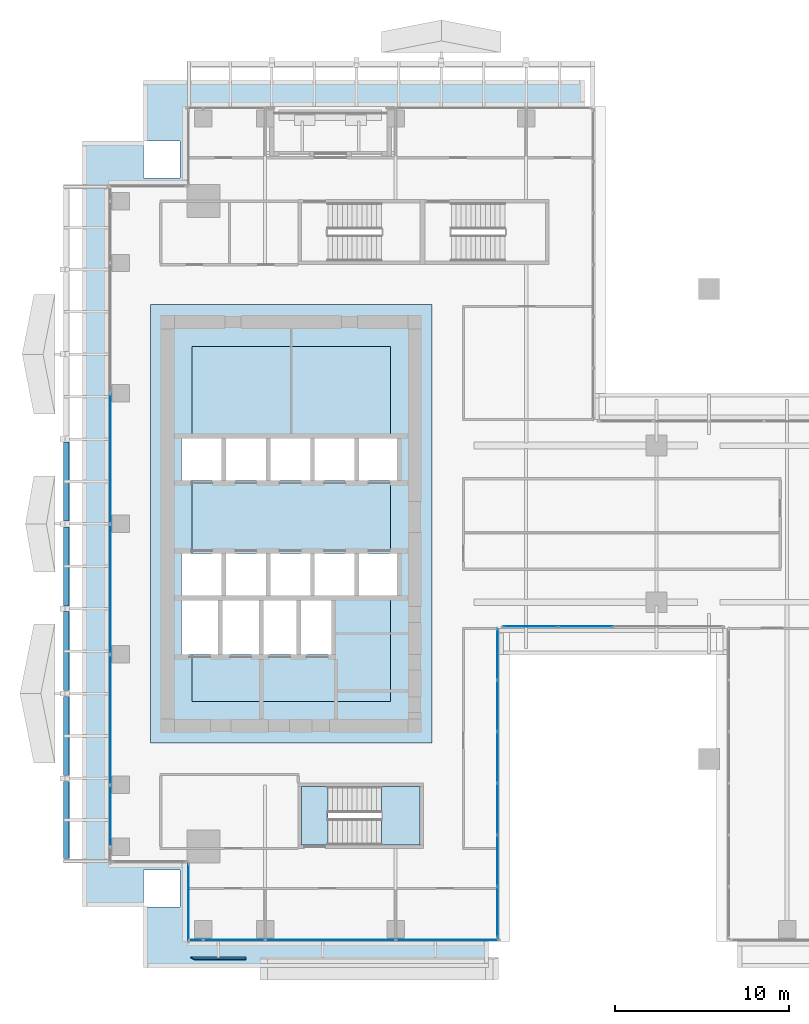
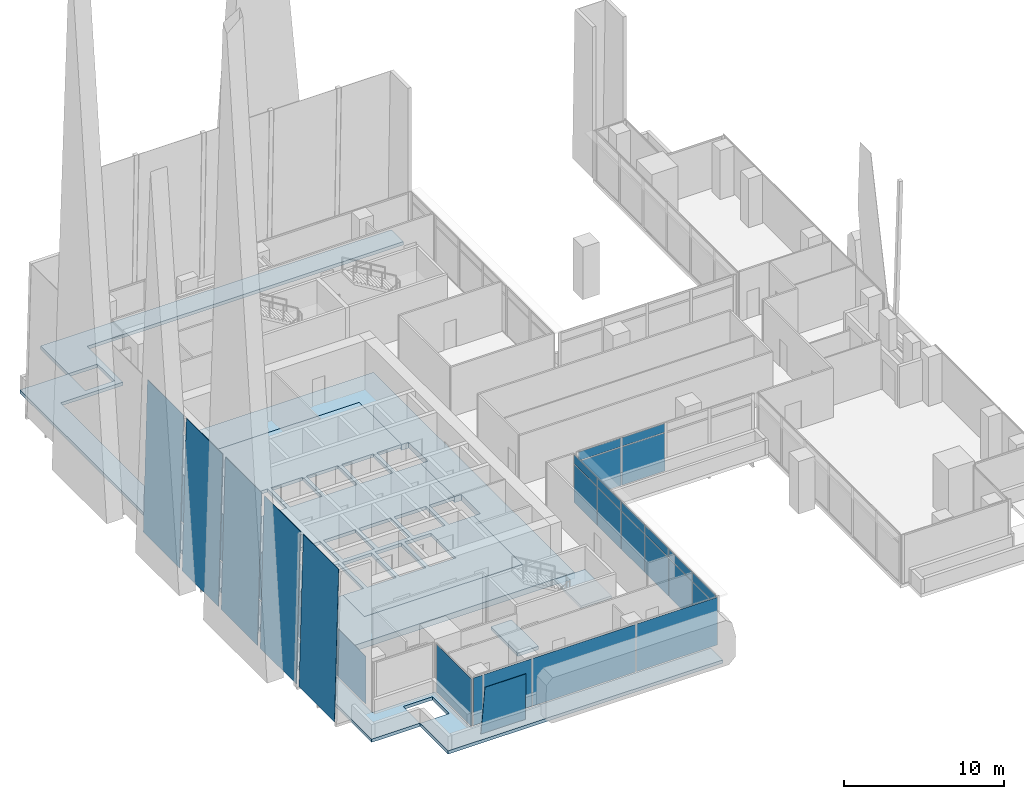
# One storey, part 28 of 43: 31 plates, 5 slabs, 6 elements without a shape of their own.
"""IFC4 building model written with IfcOpenShell, lengths in metres."""

import ifcopenshell
import ifcopenshell.guid

model = None  # the IFC model being written
_history = None  # IfcOwnerHistory: only IFC2X3 demands one
_inside = {}  # id of a spatial element -> (the spatial element, [elements in it])
_under = {}  # id of a project, library or spatial element -> (it, [spatial elements below it])
_declared = {}  # id of a project -> (the project, [libraries it declares])
_typed = {}  # id of a type object -> (the type object, [elements of that type])
_made_of = {}  # id of a material, layer set ... -> (it, [elements and type objects made of it])


def new_model(schema):
    """Start an empty IFC model of exactly this schema.

    Asked for "IFC4X3", IfcOpenShell would pick the latest addendum, in which some entities
    have other attributes; the version numbers below select the first issue.
    IFC2X3 requires an IfcOwnerHistory on every rooted entity: one is made here for all.
    """
    global model, _history
    if schema == "IFC4X3":
        model = ifcopenshell.file(schema_version=(4, 3, 0, 0))
    else:
        model = ifcopenshell.file(schema=schema)
    _inside.clear()
    _under.clear()
    _declared.clear()
    _typed.clear()
    _made_of.clear()
    _history = None
    if model.schema == "IFC2X3":
        org = make("IfcOrganization", Name="unknown")
        user = make(
            "IfcPersonAndOrganization",
            ThePerson=make("IfcPerson", FamilyName="unknown"),
            TheOrganization=org,
        )
        app = make(
            "IfcApplication",
            ApplicationDeveloper=org,
            Version="unknown",
            ApplicationFullName="unknown",
            ApplicationIdentifier="unknown",
        )
        _history = make(
            "IfcOwnerHistory",
            OwningUser=user,
            OwningApplication=app,
            ChangeAction="ADDED",
            CreationDate=0,
        )
    return model


def make(cls, **values):
    """One entity of the class cls with the attributes given. An attribute that is None is left unset."""
    return model.create_entity(
        cls, **{name: value for name, value in values.items() if value is not None}
    )


def rooted(cls, **values):
    """An entity with a GlobalId (a new one), such as an element, a storey or a relation."""
    return make(cls, GlobalId=ifcopenshell.guid.new(), OwnerHistory=_history, **values)


def si_unit(unit_type, name, prefix=None):
    """IfcSIUnit, for example si_unit("LENGTHUNIT", "METRE", prefix="MILLI")."""
    return make("IfcSIUnit", UnitType=unit_type, Prefix=prefix, Name=name)


def assignment(units):
    """IfcUnitAssignment: the units of a project."""
    return None if units is None else make("IfcUnitAssignment", Units=units)


def point(xyz):
    """IfcCartesianPoint."""
    return None if xyz is None else make("IfcCartesianPoint", Coordinates=xyz)


def direction(xyz):
    """IfcDirection."""
    return None if xyz is None else make("IfcDirection", DirectionRatios=xyz)


def frame(location, z_axis=None, x_axis=None):
    """IfcAxis2Placement3D, a coordinate frame: its origin and axes. An axis left out is left unset."""
    return make(
        "IfcAxis2Placement3D",
        Location=point(location),
        Axis=direction(z_axis),
        RefDirection=direction(x_axis),
    )


def frame_2d(location, x_axis=None):
    """IfcAxis2Placement2D, a coordinate frame in the plane: its origin and x axis."""
    return make(
        "IfcAxis2Placement2D", Location=point(location), RefDirection=direction(x_axis)
    )


def origin():
    """The frame at (0, 0, 0) with its axes left unset."""
    return frame((0.0, 0.0, 0.0))


def origin_2d():
    """The frame at (0, 0) in the plane with its x axis left unset."""
    return frame_2d((0.0, 0.0))


def place(relative_to, where):
    """IfcLocalPlacement: puts the frame where relative to a parent placement (None: the world)."""
    return make(
        "IfcLocalPlacement", PlacementRelTo=relative_to, RelativePlacement=where
    )


def context(
    kind, dimensions, precision=None, world=None, true_north=None, identifier=None
):
    """IfcGeometricRepresentationContext, for example the 3D "Model" context."""
    return make(
        "IfcGeometricRepresentationContext",
        ContextIdentifier=identifier,
        ContextType=kind,
        CoordinateSpaceDimension=dimensions,
        Precision=precision,
        WorldCoordinateSystem=world,
        TrueNorth=true_north,
    )


def subcontext(parent, identifier, kind, view, scale=None):
    """IfcGeometricRepresentationSubContext, for example "Body" below "Model"."""
    return make(
        "IfcGeometricRepresentationSubContext",
        ContextIdentifier=identifier,
        ContextType=kind,
        ParentContext=parent,
        TargetScale=scale,
        TargetView=view,
    )


def project(units=None, contexts=None):
    """IfcProject with its units and contexts."""
    return rooted(
        "IfcProject",
        Name="project",
        RepresentationContexts=contexts,
        UnitsInContext=assignment(units),
    )


def spatial(cls, under=None, at=None, **own):
    """A site, building, storey or space (cls), placed at a placement, below another one or the project."""
    s = rooted(cls, ObjectPlacement=at, **own)
    if under is not None:
        _under.setdefault(under.id(), (under, []))[1].append(s)
    return s


def polyline(points):
    """IfcPolyline through the points."""
    return make("IfcPolyline", Points=[point(p) for p in points])


def profile(cls, at=None, kind="AREA", **sizes):
    """A parametric profile (cls). Its sizes go by their IFC names, for example OverallWidth=200.0."""
    return make(cls, ProfileType=kind, Position=at, **sizes)


def rectangle(**sizes):
    """IfcRectangleProfileDef."""
    return profile("IfcRectangleProfileDef", **sizes)


def outline(outer, holes=None, kind="AREA"):
    """IfcArbitraryClosedProfileDef: a profile drawn as a closed curve; with holes, ...WithVoids."""
    if holes is None:
        return make("IfcArbitraryClosedProfileDef", ProfileType=kind, OuterCurve=outer)
    return make(
        "IfcArbitraryProfileDefWithVoids",
        ProfileType=kind,
        OuterCurve=outer,
        InnerCurves=holes,
    )


def extrude(swept, where, along, depth):
    """IfcExtrudedAreaSolid: the profile swept, set in the frame where, extruded along a direction by depth."""
    return make(
        "IfcExtrudedAreaSolid",
        SweptArea=swept,
        Position=where,
        ExtrudedDirection=direction(along),
        Depth=depth,
    )


def shape(context_of_items, identifier, shape_type, items):
    """IfcShapeRepresentation: the items that make up one representation, for example the "Body"."""
    return make(
        "IfcShapeRepresentation",
        ContextOfItems=context_of_items,
        RepresentationIdentifier=identifier,
        RepresentationType=shape_type,
        Items=items,
    )


def source(mapping_origin, context_of_items, identifier, shape_type, items):
    """IfcRepresentationMap: a shape defined once, which mapped items show again and again."""
    return make(
        "IfcRepresentationMap",
        MappingOrigin=mapping_origin,
        MappedRepresentation=shape(context_of_items, identifier, shape_type, items),
    )


def transform(
    local_origin,
    x_axis=None,
    y_axis=None,
    z_axis=None,
    scale=None,
    scale2=None,
    scale3=None,
    uniform=True,
):
    """IfcCartesianTransformationOperator3D, or its non-uniform kind. x_axis, y_axis, z_axis: its Axis1, 2, 3."""
    if uniform:
        return make(
            "IfcCartesianTransformationOperator3D",
            Axis1=direction(x_axis),
            Axis2=direction(y_axis),
            LocalOrigin=point(local_origin),
            Scale=scale,
            Axis3=direction(z_axis),
        )
    return make(
        "IfcCartesianTransformationOperator3DnonUniform",
        Axis1=direction(x_axis),
        Axis2=direction(y_axis),
        LocalOrigin=point(local_origin),
        Scale=scale,
        Axis3=direction(z_axis),
        Scale2=scale2,
        Scale3=scale3,
    )


def mapped(mapping_source, mapping_target):
    """IfcMappedItem: shows the shape of a source again, moved by a transform."""
    return make(
        "IfcMappedItem", MappingSource=mapping_source, MappingTarget=mapping_target
    )


def material(Name=None, Category=None):
    """IfcMaterial."""
    return make("IfcMaterial", Name=Name, Category=Category)


def layer(
    of_material, thickness, ventilated=None, Name=None, Category=None, Priority=None
):
    """IfcMaterialLayer: one layer of a wall or slab, of a material (None: an air gap)."""
    return make(
        "IfcMaterialLayer",
        Material=of_material,
        LayerThickness=thickness,
        IsVentilated=ventilated,
        Name=Name,
        Category=Category,
        Priority=Priority,
    )


def layer_set(layers, Name=None):
    """IfcMaterialLayerSet."""
    return make("IfcMaterialLayerSet", MaterialLayers=layers, LayerSetName=Name)


def made_of(thing, what):
    """Note that an element or type object is made of a material, layer set ...; save() writes the relation."""
    if what is not None:
        _made_of.setdefault(what.id(), (what, []))[1].append(thing)
    return thing


def type_object(cls, material=None, **own):
    """A type object (cls), such as IfcWallType, which elements share."""
    return made_of(rooted(cls, **own), material)


def element(
    cls,
    number,
    at=None,
    inside=None,
    cuts=None,
    type_object=None,
    material=None,
    context=None,
    identifier="Body",
    shape_type=None,
    held_by="IfcProductDefinitionShape",
    body=None,
    shapes=None,
    **own,
):
    """One element of the class cls, such as IfcWall. Its Tag is "e" and its number.

    at: its placement. inside: the storey or other place that contains it. cuts: it is an
    opening in that element (IfcRelVoidsElement). A single representation is given by context,
    identifier, shape_type and body (its items); several are given by shapes. held_by: the class
    of the entity that holds the representations. save() writes the other relations.
    """
    e = rooted(cls, Tag="e%d" % number, ObjectPlacement=at, **own)
    if body is not None:
        shapes = [shape(context, identifier, shape_type, body)]
    if shapes is not None:
        e.Representation = make(held_by, Representations=shapes)
    if inside is not None:
        _inside.setdefault(inside.id(), (inside, []))[1].append(e)
    if cuts is not None:
        rooted(
            "IfcRelVoidsElement", RelatingBuildingElement=cuts, RelatedOpeningElement=e
        )
    if type_object is not None:
        _typed.setdefault(type_object.id(), (type_object, []))[1].append(e)
    return made_of(e, material)


def aggregate(whole, parts):
    """IfcRelAggregates: a whole, such as a stair, and the parts it consists of."""
    return rooted("IfcRelAggregates", RelatingObject=whole, RelatedObjects=parts)


def save(model, path):
    """Write the relations noted so far, then the file.

    IfcRelAggregates (storeys below a building ...), IfcRelContainedInSpatialStructure (elements
    in a storey), IfcRelDefinesByType, IfcRelAssociatesMaterial and IfcRelDeclares: one each for
    every whole, place, type object, material and project.
    """
    for whole, parts in _under.values():
        aggregate(whole, parts)
    for where, things in _inside.values():
        rooted(
            "IfcRelContainedInSpatialStructure",
            RelatedElements=things,
            RelatingStructure=where,
        )
    for kind, things in _typed.values():
        rooted("IfcRelDefinesByType", RelatedObjects=things, RelatingType=kind)
    for what, things in _made_of.values():
        rooted("IfcRelAssociatesMaterial", RelatedObjects=things, RelatingMaterial=what)
    for by, libraries in _declared.values():
        rooted("IfcRelDeclares", RelatingContext=by, RelatedDefinitions=libraries)
    model.write(path)


model = new_model("IFC4")

# Units and contexts
model_context = context("Model", 3, precision=1e-05, world=origin(), true_north=direction((0.0, 1.0)))
body_context = subcontext(model_context, "Body", "Model", "MODEL_VIEW")
ifc_project = project(units=[si_unit("LENGTHUNIT", "METRE"), si_unit("AREAUNIT", "SQUARE_METRE"), si_unit("VOLUMEUNIT", "CUBIC_METRE"), si_unit("PLANEANGLEUNIT", "RADIAN"), si_unit("MASSUNIT", "GRAM", prefix="KILO")], contexts=[model_context])

# Site, building, storey
site_placement = place(None, origin())
site = spatial("IfcSite", under=ifc_project, at=site_placement, CompositionType="ELEMENT")
building_placement = place(site_placement, origin())
building = spatial("IfcBuilding", under=site, at=building_placement, Name="Khomas Fold Tower", CompositionType="ELEMENT")
storey_placement = place(building_placement, frame((0.0, 0.0, 164.699951171875)))
storey = spatial("IfcBuildingStorey", under=building, at=storey_placement, Name="L35", CompositionType="ELEMENT", Elevation=164.699951171875)

# Plates
ifc_material_1 = material(Name="Clear laminated glass", Category="glass")
ifc_layer_1 = layer(ifc_material_1, 0.0400390625)
ifc_layer_set_1 = layer_set([ifc_layer_1], Name="Clear laminated glass")
plate_type_1 = type_object("IfcPlateType", Name="SK-Clear laminated glass leaf", PredefinedType="SHEET", material=ifc_layer_set_1)
plate_1_placement = place(storey_placement, frame((10.89990234375, 2.10009765625, 0.0), z_axis=(0.0, 0.999508649997, 0.031344195337), x_axis=(-1.0, 0.0, 0.0)))
element("IfcPlate", 1, at=plate_1_placement, inside=storey, type_object=plate_type_1, Name="OUTER SKIN glass L35 SG099-1", PredefinedType="SHEET", context=body_context, shape_type="SweptSolid", body=[
    extrude(outline(polyline([(0.0, 0.0), (3.199462890625, 0.0), (2.977294921875, 3.551794002118887), (0.0, 3.551794002118887), (0.0, 0.0)])), origin(), (0.0, 0.0, -1.0), 0.0400390625),
])
plate_2_placement = place(storey_placement, frame((0.4150390625, 7.77001953125, 0.0009765625), z_axis=(-0.999657230839, 0.0, 0.026180543005), x_axis=(0.0, 1.0, 0.0)))
element("IfcPlate", 2, at=plate_2_placement, inside=storey, type_object=plate_type_1, Name="OUTER SKIN glass L35 W1", PredefinedType="SHEET", context=body_context, shape_type="SweptSolid", body=[
    extrude(outline(polyline([(0.0, 0.0), (4.43505859375, 0.0), (4.43505859375, -11.554009186164079), (0.0, -11.554009186164079), (0.0, 0.0)])), origin(), (0.0, 0.0, -1.0), 0.0400390625),
])
for number, where, z_axis, x_axis, name in (
    (3, (0.4150390625, 12.544921875, 0.0009765625), (-0.999657230839, 0.0, 0.026180543005), (0.0, 1.0, 0.0), "OUTER SKIN glass L35 W3"),
    (4, (0.4150390625, 17.419921875, 0.0009765625), (-0.999657230839, 0.0, 0.026180543005), (0.0, 1.0, 0.0), "OUTER SKIN glass L35 W5"),
    (5, (0.4150390625, 22.294921875, 0.0009765625), (-0.999657230839, 0.0, 0.026180543005), (0.0, 1.0, 0.0), "OUTER SKIN glass L35 W7"),
    (6, (0.4150390625, 27.169921875, 0.0009765625), (-0.999657230839, 0.0, 0.026180543005), (0.0, 1.0, 0.0), "OUTER SKIN glass L35 W9"),
):
    element("IfcPlate", number, at=place(storey_placement, frame(where, z_axis=z_axis, x_axis=x_axis)), inside=storey, type_object=plate_type_1, Name=name, PredefinedType="SHEET", context=body_context, shape_type="SweptSolid", body=[
        extrude(outline(polyline([(0.0, 0.0), (4.53515625, 0.0), (4.53515625, -11.554009186164079), (0.0, -11.554009186164079), (0.0, 0.0)])), origin(), (0.0, 0.0, -1.0), 0.0400390625),
    ])

# Slabs
ifc_material_2 = material(Name="Concrete C50/60", Category="concrete")
ifc_layer_2 = layer(ifc_material_2, 0.449951171875)
ifc_layer_set_2 = layer_set([ifc_layer_2], Name="Concrete C50/60")
slab_type_1 = type_object("IfcSlabType", Name="RC transfer slab 450", PredefinedType="FLOOR", material=ifc_layer_set_2)
shared_shape_1 = source(origin(), body_context, "Body", "SweptSolid", [
    extrude(outline(polyline([(5.39990234375, 14.39990234375), (21.60009765625, 14.39990234375), (21.60009765625, 39.60009765625), (5.39990234375, 39.60009765625), (5.39990234375, 14.39990234375)]), holes=[polyline([(7.199951171875, 19.5), (7.199951171875, 22.60009765625), (7.800048828125, 22.60009765625), (7.800048828125, 22.89990234375), (7.199951171875, 22.89990234375), (7.199951171875, 25.300048828125), (7.800048828125, 25.300048828125), (7.800048828125, 29.5), (7.199951171875, 29.5), (7.199951171875, 31.89990234375), (7.800048828125, 31.89990234375), (7.800048828125, 37.199951171875), (19.199951171875, 37.199951171875), (19.199951171875, 31.89990234375), (19.699951171875, 31.89990234375), (19.699951171875, 29.5), (19.199951171875, 29.5), (19.199951171875, 25.300048828125), (19.699951171875, 25.300048828125), (19.699951171875, 22.89990234375), (19.199951171875, 22.89990234375), (19.199951171875, 16.800048828125), (7.800048828125, 16.800048828125), (7.800048828125, 19.5), (7.199951171875, 19.5)])]), origin(), (0.0, 0.0, 1.0), 0.449951171875),
])
slab_1_placement = place(storey_placement, frame((0.0, 0.0, -0.449951171875)))
element("IfcSlab", 7, at=slab_1_placement, inside=storey, type_object=slab_type_1, Name="Transfer slab", PredefinedType="FLOOR", context=body_context, shape_type="MappedRepresentation", body=[
    mapped(shared_shape_1, transform((0.0, 0.0, 0.0))),
])
ifc_material_3 = material(Name="Concrete C40/50", Category="concrete")
ifc_layer_3 = layer(ifc_material_3, 0.25)
ifc_layer_set_3 = layer_set([ifc_layer_3], Name="Concrete C40/50")
slab_type_2 = type_object("IfcSlabType", Name="RC floor slab 250", PredefinedType="FLOOR", material=ifc_layer_set_3)
shared_shape_2 = source(origin(), body_context, "Body", "SweptSolid", [
    extrude(outline(polyline([(7.800048828125, 16.800048828125), (19.199951171875, 16.800048828125), (19.199951171875, 22.89990234375), (17.39990234375, 22.89990234375), (17.39990234375, 25.300048828125), (19.199951171875, 25.300048828125), (19.199951171875, 29.5), (17.39990234375, 29.5), (17.39990234375, 31.89990234375), (19.199951171875, 31.89990234375), (19.199951171875, 37.199951171875), (7.800048828125, 37.199951171875), (7.800048828125, 31.89990234375), (9.5, 31.89990234375), (9.5, 29.5), (7.800048828125, 29.5), (7.800048828125, 25.300048828125), (9.5, 25.300048828125), (9.5, 22.89990234375), (7.800048828125, 22.89990234375), (7.800048828125, 22.60009765625), (9.300048828125, 22.60009765625), (9.300048828125, 19.5), (7.800048828125, 19.5), (7.800048828125, 16.800048828125)]), holes=[polyline([(9.550048828125, 19.5), (9.550048828125, 22.60009765625), (11.64990234375, 22.60009765625), (11.64990234375, 19.5), (9.550048828125, 19.5)]), polyline([(9.75, 22.89990234375), (9.75, 25.300048828125), (12.050048828125, 25.300048828125), (12.050048828125, 22.89990234375), (9.75, 22.89990234375)]), polyline([(9.75, 29.5), (9.75, 31.89990234375), (12.050048828125, 31.89990234375), (12.050048828125, 29.5), (9.75, 29.5)]), polyline([(11.89990234375, 19.5), (11.89990234375, 22.60009765625), (13.800048828125, 22.60009765625), (13.800048828125, 19.5), (11.89990234375, 19.5)]), polyline([(12.300048828125, 22.89990234375), (12.300048828125, 25.300048828125), (14.60009765625, 25.300048828125), (14.60009765625, 22.89990234375), (12.300048828125, 22.89990234375)]), polyline([(12.300048828125, 29.5), (12.300048828125, 31.89990234375), (14.60009765625, 31.89990234375), (14.60009765625, 29.5), (12.300048828125, 29.5)]), polyline([(14.050048828125, 19.5), (14.050048828125, 22.60009765625), (15.949951171875, 22.60009765625), (15.949951171875, 19.5), (14.050048828125, 19.5)]), polyline([(14.85009765625, 22.89990234375), (14.85009765625, 25.300048828125), (17.14990234375, 25.300048828125), (17.14990234375, 22.89990234375), (14.85009765625, 22.89990234375)]), polyline([(14.85009765625, 29.5), (14.85009765625, 31.89990234375), (17.14990234375, 31.89990234375), (17.14990234375, 29.5), (14.85009765625, 29.5)])]), origin(), (0.0, 0.0, 1.0), 0.25),
])
slab_2_placement = place(storey_placement, frame((0.0, 0.0, -0.25)))
element("IfcSlab", 8, at=slab_2_placement, inside=storey, type_object=slab_type_2, Name="S-L35", PredefinedType="FLOOR", context=body_context, shape_type="MappedRepresentation", body=[
    mapped(shared_shape_2, transform((0.0, 0.0, 0.0))),
])
ifc_material_4 = material(Name="Concrete C40/50", Category="concrete")
ifc_layer_4 = layer(ifc_material_4, 0.25)
ifc_layer_set_4 = layer_set([ifc_layer_4], Name="Concrete C40/50")
slab_type_3 = type_object("IfcSlabType", Name="RC roof slab 250", PredefinedType="ROOF", material=ifc_layer_set_4)
shared_shape_3 = source(origin(), body_context, "Body", "SweptSolid", [
    extrude(outline(polyline([(1.5, 5.0), (4.9951171875, 5.0), (4.9951171875, 7.10498046875), (7.10498046875, 7.10498046875), (7.10498046875, 4.9951171875), (5.0, 4.9951171875), (5.0, 1.5), (24.85009765625, 1.5), (24.85009765625, 3.0), (7.5, 3.0), (7.5, 7.5), (3.0, 7.5), (3.0, 46.5), (7.5, 46.5), (7.5, 51.0), (30.35009765625, 51.0), (30.35009765625, 52.5), (5.0, 52.5), (5.0, 49.0048828125), (7.10498046875, 49.0048828125), (7.10498046875, 46.89501953125), (4.9951171875, 46.89501953125), (4.9951171875, 49.0), (1.5, 49.0), (1.5, 5.0)])), origin(), (0.0, 0.0, 1.0), 0.25),
])
slab_3_placement = place(storey_placement, frame((0.0, 0.0, -0.25)))
element("IfcSlab", 9, at=slab_3_placement, inside=storey, type_object=slab_type_3, Name="Setback roof slab", PredefinedType="ROOF", context=body_context, shape_type="MappedRepresentation", body=[
    mapped(shared_shape_3, transform((0.0, 0.0, 0.0))),
])

# Curtain wall, plate
ifc_material_5 = material(Name="Aluminium framed double glazing", Category="aluminium")
curtain_wall_type_1 = type_object("IfcCurtainWallType", Name="SK-Unitised clear-glass wall, office floors CW2", PredefinedType="NOTDEFINED", material=ifc_material_5)
curtain_wall_1_placement = place(storey_placement, origin())
curtain_wall_1 = element("IfcCurtainWall", 10, at=curtain_wall_1_placement, inside=storey, type_object=curtain_wall_type_1, Name="CW2 corner return L35 00", PredefinedType="NOTDEFINED")
ifc_material_6 = material(Name="Clear double glazed unit")
ifc_layer_5 = layer(ifc_material_6, 0.030029296875)
ifc_layer_set_5 = layer_set([ifc_layer_5], Name="Clear double glazed unit")
plate_type_2 = type_object("IfcPlateType", Name="SK-Unitised clear-glass wall, office floors glass panel CW2-P", PredefinedType="CURTAIN_PANEL", material=ifc_layer_set_5)
shared_shape_4 = source(origin(), body_context, "Body", "SweptSolid", [
    extrude(rectangle(XDim=4.3798828125, YDim=0.030029296875, at=origin_2d()), origin(), (0.0, 0.0, 1.0), 3.639892578125),
])
plate_3_placement = place(storey_placement, frame((7.60009765625, 5.25, 0.0), z_axis=(0.0, 0.0, 1.0), x_axis=(0.0, -1.0, 0.0)))
plate_3 = element("IfcPlate", 11, at=plate_3_placement, type_object=plate_type_2, Name="CW2 glass panel 1", PredefinedType="CURTAIN_PANEL", context=body_context, shape_type="MappedRepresentation", body=[
    mapped(shared_shape_4, transform((0.0, 0.0, 0.0))),
])
aggregate(curtain_wall_1, [plate_3])

# Curtain wall, plates
curtain_wall_2_placement = place(storey_placement, origin())
curtain_wall_2 = element("IfcCurtainWall", 12, at=curtain_wall_2_placement, inside=storey, type_object=curtain_wall_type_1, Name="CW2 run L35 01-0", PredefinedType="NOTDEFINED")
shared_shape_5 = source(origin(), body_context, "Body", "SweptSolid", [
    extrude(rectangle(XDim=0.659912109375, YDim=0.030029296875, at=origin_2d()), origin(), (0.0, 0.0, 1.0), 3.639892578125),
])
plate_4_placement = place(storey_placement, frame((8.090087890625, 3.10009765625, 0.0), z_axis=(0.0, 0.0, 1.0), x_axis=(1.0, 0.0, 0.0)))
plate_4 = element("IfcPlate", 13, at=plate_4_placement, type_object=plate_type_2, Name="CW2 glass panel 1", PredefinedType="CURTAIN_PANEL", context=body_context, shape_type="MappedRepresentation", body=[
    mapped(shared_shape_5, transform((0.0, 0.0, 0.0))),
])
shared_shape_6 = source(origin(), body_context, "Body", "SweptSolid", [
    extrude(rectangle(XDim=3.489990234375, YDim=0.030029296875, at=origin_2d()), origin(), (0.0, 0.0, 1.0), 3.639892578125),
])
plate_5_placement = place(storey_placement, frame((10.22509765625, 3.10009765625, 0.0), z_axis=(0.0, 0.0, 1.0), x_axis=(1.0, 0.0, 0.0)))
plate_5 = element("IfcPlate", 14, at=plate_5_placement, type_object=plate_type_2, Name="CW2 glass panel 2", PredefinedType="CURTAIN_PANEL", context=body_context, shape_type="MappedRepresentation", body=[
    mapped(shared_shape_6, transform((0.0, 0.0, 0.0))),
])

# Curtain wall, plate
curtain_wall_3_placement = place(storey_placement, origin())
curtain_wall_3 = element("IfcCurtainWall", 15, at=curtain_wall_3_placement, inside=storey, type_object=curtain_wall_type_1, Name="CW2 run L35 18-0", PredefinedType="NOTDEFINED")
plate_6_placement = place(storey_placement, frame((3.10009765625, 10.22509765625, 0.0), z_axis=(0.0, 0.0, 1.0), x_axis=(0.0, -1.0, 0.0)))
plate_6 = element("IfcPlate", 16, at=plate_6_placement, type_object=plate_type_2, Name="CW2 glass panel 7", PredefinedType="CURTAIN_PANEL", context=body_context, shape_type="MappedRepresentation", body=[
    mapped(shared_shape_6, transform((0.0, 0.0, 0.0))),
])

# Plate
shared_shape_7 = source(origin(), body_context, "Body", "SweptSolid", [
    extrude(rectangle(XDim=7.43994140625, YDim=0.030029296875, at=origin_2d()), origin(), (0.0, 0.0, 1.0), 3.639892578125),
])
plate_7_placement = place(storey_placement, frame((15.75, 3.10009765625, 0.0), z_axis=(0.0, 0.0, 1.0), x_axis=(1.0, 0.0, 0.0)))
plate_7 = element("IfcPlate", 17, at=plate_7_placement, type_object=plate_type_2, Name="CW2 glass panel 3", PredefinedType="CURTAIN_PANEL", context=body_context, shape_type="MappedRepresentation", body=[
    mapped(shared_shape_7, transform((0.0, 0.0, 0.0))),
])

plate_8_placement = place(storey_placement, frame((3.10009765625, 30.75, 0.0), z_axis=(0.0, 0.0, 1.0), x_axis=(0.0, -1.0, 0.0)))
plate_8 = element("IfcPlate", 18, at=plate_8_placement, type_object=plate_type_2, Name="CW2 glass panel 4", PredefinedType="CURTAIN_PANEL", context=body_context, shape_type="MappedRepresentation", body=[
    mapped(shared_shape_7, transform((0.0, 0.0, 0.0))),
])

plate_9_placement = place(storey_placement, frame((3.10009765625, 23.25, 0.0), z_axis=(0.0, 0.0, 1.0), x_axis=(0.0, -1.0, 0.0)))
plate_9 = element("IfcPlate", 19, at=plate_9_placement, type_object=plate_type_2, Name="CW2 glass panel 5", PredefinedType="CURTAIN_PANEL", context=body_context, shape_type="MappedRepresentation", body=[
    mapped(shared_shape_7, transform((0.0, 0.0, 0.0))),
])

plate_10_placement = place(storey_placement, frame((3.10009765625, 15.75, 0.0), z_axis=(0.0, 0.0, 1.0), x_axis=(0.0, -1.0, 0.0)))
plate_10 = element("IfcPlate", 20, at=plate_10_placement, type_object=plate_type_2, Name="CW2 glass panel 6", PredefinedType="CURTAIN_PANEL", context=body_context, shape_type="MappedRepresentation", body=[
    mapped(shared_shape_7, transform((0.0, 0.0, 0.0))),
])

aggregate(curtain_wall_3, [plate_8, plate_9, plate_10, plate_6])

shared_shape_8 = source(origin(), body_context, "Body", "SweptSolid", [
    extrude(rectangle(XDim=5.860107421875, YDim=0.030029296875, at=origin_2d()), origin(), (0.0, 0.0, 1.0), 3.639892578125),
])
plate_11_placement = place(storey_placement, frame((22.4599609375, 3.10009765625, 0.0), z_axis=(0.0, 0.0, 1.0), x_axis=(1.0, 0.0, 0.0)))
plate_11 = element("IfcPlate", 21, at=plate_11_placement, type_object=plate_type_2, Name="CW2 glass panel 4", PredefinedType="CURTAIN_PANEL", context=body_context, shape_type="MappedRepresentation", body=[
    mapped(shared_shape_8, transform((0.0, 0.0, 0.0))),
])

aggregate(curtain_wall_2, [plate_4, plate_5, plate_7, plate_11])

# Curtain wall, plates
ifc_material_7 = material(Name="Aluminium framed double glazing", Category="aluminium")
curtain_wall_type_2 = type_object("IfcCurtainWallType", Name="Notch glazing GN-CW", PredefinedType="NOTDEFINED", material=ifc_material_7)
curtain_wall_4_placement = place(storey_placement, origin())
curtain_wall_4 = element("IfcCurtainWall", 22, at=curtain_wall_4_placement, inside=storey, type_object=curtain_wall_type_2, Name="Notch glazing run", PredefinedType="NOTDEFINED")
ifc_material_8 = material(Name="Double glazed unit")
ifc_layer_6 = layer(ifc_material_8, 0.031982421875)
ifc_layer_set_6 = layer_set([ifc_layer_6], Name="Double glazed unit")
plate_type_3 = type_object("IfcPlateType", Name="Notch glazing panel GN-CW-P", PredefinedType="CURTAIN_PANEL", material=ifc_layer_set_6)
shared_shape_9 = source(origin(), body_context, "Body", "SweptSolid", [
    extrude(rectangle(XDim=2.876708984375, YDim=0.031982421875, at=origin_2d()), origin(), (0.0, 0.0, 1.0), 2.909912109375),
])
plate_12_placement = place(storey_placement, frame((25.35009765625, 4.6982421875, 0.06005859375), z_axis=(0.0, 0.0, 1.0), x_axis=(0.0, 1.0, 0.0)))
plate_12 = element("IfcPlate", 23, at=plate_12_placement, type_object=plate_type_3, Name="GN-CW panel 1.1", PredefinedType="CURTAIN_PANEL", context=body_context, shape_type="MappedRepresentation", body=[
    mapped(shared_shape_9, transform((0.0, 0.0, 0.0))),
])
plate_13_placement = place(storey_placement, frame((25.35009765625, 19.501708984375, 0.06005859375), z_axis=(0.0, 0.0, 1.0), x_axis=(0.0, 1.0, 0.0)))
plate_13 = element("IfcPlate", 24, at=plate_13_placement, type_object=plate_type_3, Name="GN-CW panel 6.1", PredefinedType="CURTAIN_PANEL", context=body_context, shape_type="MappedRepresentation", body=[
    mapped(shared_shape_9, transform((0.0, 0.0, 0.0))),
])
shared_shape_10 = source(origin(), body_context, "Body", "SweptSolid", [
    extrude(rectangle(XDim=2.90673828125, YDim=0.031982421875, at=origin_2d()), origin(), (0.0, 0.0, 1.0), 2.909912109375),
])
plate_14_placement = place(storey_placement, frame((25.35009765625, 7.64990234375, 0.06005859375), z_axis=(0.0, 0.0, 1.0), x_axis=(0.0, 1.0, 0.0)))
plate_14 = element("IfcPlate", 25, at=plate_14_placement, type_object=plate_type_3, Name="GN-CW panel 2.1", PredefinedType="CURTAIN_PANEL", context=body_context, shape_type="MappedRepresentation", body=[
    mapped(shared_shape_10, transform((0.0, 0.0, 0.0))),
])
plate_15_placement = place(storey_placement, frame((25.35009765625, 10.61669921875, 0.06005859375), z_axis=(0.0, 0.0, 1.0), x_axis=(0.0, 1.0, 0.0)))
plate_15 = element("IfcPlate", 26, at=plate_15_placement, type_object=plate_type_3, Name="GN-CW panel 3.1", PredefinedType="CURTAIN_PANEL", context=body_context, shape_type="MappedRepresentation", body=[
    mapped(shared_shape_10, transform((0.0, 0.0, 0.0))),
])
plate_16_placement = place(storey_placement, frame((25.35009765625, 13.583251953125, 0.06005859375), z_axis=(0.0, 0.0, 1.0), x_axis=(0.0, 1.0, 0.0)))
plate_16 = element("IfcPlate", 27, at=plate_16_placement, type_object=plate_type_3, Name="GN-CW panel 4.1", PredefinedType="CURTAIN_PANEL", context=body_context, shape_type="MappedRepresentation", body=[
    mapped(shared_shape_10, transform((0.0, 0.0, 0.0))),
])
plate_17_placement = place(storey_placement, frame((25.35009765625, 16.550048828125, 0.06005859375), z_axis=(0.0, 0.0, 1.0), x_axis=(0.0, 1.0, 0.0)))
plate_17 = element("IfcPlate", 28, at=plate_17_placement, type_object=plate_type_3, Name="GN-CW panel 5.1", PredefinedType="CURTAIN_PANEL", context=body_context, shape_type="MappedRepresentation", body=[
    mapped(shared_shape_10, transform((0.0, 0.0, 0.0))),
])
shared_shape_11 = source(origin(), body_context, "Body", "SweptSolid", [
    extrude(rectangle(XDim=2.876708984375, YDim=0.031982421875, at=origin_2d()), origin(), (0.0, 0.0, 1.0), 0.659912109375),
])
plate_18_placement = place(storey_placement, frame((25.35009765625, 4.6982421875, 3.0302734375), z_axis=(0.0, 0.0, 1.0), x_axis=(0.0, 1.0, 0.0)))
plate_18 = element("IfcPlate", 29, at=plate_18_placement, type_object=plate_type_3, Name="GN-CW panel 1.2", PredefinedType="CURTAIN_PANEL", context=body_context, shape_type="MappedRepresentation", body=[
    mapped(shared_shape_11, transform((0.0, 0.0, 0.0))),
])
plate_19_placement = place(storey_placement, frame((25.35009765625, 19.501708984375, 3.0302734375), z_axis=(0.0, 0.0, 1.0), x_axis=(0.0, 1.0, 0.0)))
plate_19 = element("IfcPlate", 30, at=plate_19_placement, type_object=plate_type_3, Name="GN-CW panel 6.2", PredefinedType="CURTAIN_PANEL", context=body_context, shape_type="MappedRepresentation", body=[
    mapped(shared_shape_11, transform((0.0, 0.0, 0.0))),
])
shared_shape_12 = source(origin(), body_context, "Body", "SweptSolid", [
    extrude(rectangle(XDim=2.90673828125, YDim=0.031982421875, at=origin_2d()), origin(), (0.0, 0.0, 1.0), 0.659912109375),
])
plate_20_placement = place(storey_placement, frame((25.35009765625, 7.64990234375, 3.0302734375), z_axis=(0.0, 0.0, 1.0), x_axis=(0.0, 1.0, 0.0)))
plate_20 = element("IfcPlate", 31, at=plate_20_placement, type_object=plate_type_3, Name="GN-CW panel 2.2", PredefinedType="CURTAIN_PANEL", context=body_context, shape_type="MappedRepresentation", body=[
    mapped(shared_shape_12, transform((0.0, 0.0, 0.0))),
])
plate_21_placement = place(storey_placement, frame((25.35009765625, 10.61669921875, 3.0302734375), z_axis=(0.0, 0.0, 1.0), x_axis=(0.0, 1.0, 0.0)))
plate_21 = element("IfcPlate", 32, at=plate_21_placement, type_object=plate_type_3, Name="GN-CW panel 3.2", PredefinedType="CURTAIN_PANEL", context=body_context, shape_type="MappedRepresentation", body=[
    mapped(shared_shape_12, transform((0.0, 0.0, 0.0))),
])
plate_22_placement = place(storey_placement, frame((25.35009765625, 13.583251953125, 3.0302734375), z_axis=(0.0, 0.0, 1.0), x_axis=(0.0, 1.0, 0.0)))
plate_22 = element("IfcPlate", 33, at=plate_22_placement, type_object=plate_type_3, Name="GN-CW panel 4.2", PredefinedType="CURTAIN_PANEL", context=body_context, shape_type="MappedRepresentation", body=[
    mapped(shared_shape_12, transform((0.0, 0.0, 0.0))),
])
plate_23_placement = place(storey_placement, frame((25.35009765625, 16.550048828125, 3.0302734375), z_axis=(0.0, 0.0, 1.0), x_axis=(0.0, 1.0, 0.0)))
plate_23 = element("IfcPlate", 34, at=plate_23_placement, type_object=plate_type_3, Name="GN-CW panel 5.2", PredefinedType="CURTAIN_PANEL", context=body_context, shape_type="MappedRepresentation", body=[
    mapped(shared_shape_12, transform((0.0, 0.0, 0.0))),
])
aggregate(curtain_wall_4, [plate_12, plate_18, plate_14, plate_20, plate_15, plate_21, plate_16, plate_22, plate_17, plate_23, plate_13, plate_19])

curtain_wall_5_placement = place(storey_placement, origin())
curtain_wall_5 = element("IfcCurtainWall", 35, at=curtain_wall_5_placement, inside=storey, type_object=curtain_wall_type_2, Name="Notch glazing run", PredefinedType="NOTDEFINED")
shared_shape_13 = source(origin(), body_context, "Body", "SweptSolid", [
    extrude(rectangle(XDim=3.0849609375, YDim=0.031982421875, at=origin_2d()), origin(), (0.0, 0.0, 1.0), 2.909912109375),
])
plate_24_placement = place(storey_placement, frame((27.25244140625, 21.10009765625, 0.06005859375), z_axis=(0.0, 0.0, 1.0), x_axis=(1.0, 0.0, 0.0)))
plate_24 = element("IfcPlate", 36, at=plate_24_placement, type_object=plate_type_3, Name="GN-CW panel 1.1", PredefinedType="CURTAIN_PANEL", context=body_context, shape_type="MappedRepresentation", body=[
    mapped(shared_shape_13, transform((0.0, 0.0, 0.0))),
])
shared_shape_14 = source(origin(), body_context, "Body", "SweptSolid", [
    extrude(rectangle(XDim=3.0849609375, YDim=0.031982421875, at=origin_2d()), origin(), (0.0, 0.0, 1.0), 0.659912109375),
])
plate_25_placement = place(storey_placement, frame((27.25244140625, 21.10009765625, 3.0302734375), z_axis=(0.0, 0.0, 1.0), x_axis=(1.0, 0.0, 0.0)))
plate_25 = element("IfcPlate", 37, at=plate_25_placement, type_object=plate_type_3, Name="GN-CW panel 1.2", PredefinedType="CURTAIN_PANEL", context=body_context, shape_type="MappedRepresentation", body=[
    mapped(shared_shape_14, transform((0.0, 0.0, 0.0))),
])
shared_shape_15 = source(origin(), body_context, "Body", "SweptSolid", [
    extrude(rectangle(XDim=3.114990234375, YDim=0.031982421875, at=origin_2d()), origin(), (0.0, 0.0, 1.0), 2.909912109375),
])
plate_26_placement = place(storey_placement, frame((30.41259765625, 21.10009765625, 0.06005859375), z_axis=(0.0, 0.0, 1.0), x_axis=(1.0, 0.0, 0.0)))
plate_26 = element("IfcPlate", 38, at=plate_26_placement, type_object=plate_type_3, Name="GN-CW panel 2.1", PredefinedType="CURTAIN_PANEL", context=body_context, shape_type="MappedRepresentation", body=[
    mapped(shared_shape_15, transform((0.0, 0.0, 0.0))),
])
shared_shape_16 = source(origin(), body_context, "Body", "SweptSolid", [
    extrude(rectangle(XDim=3.114990234375, YDim=0.031982421875, at=origin_2d()), origin(), (0.0, 0.0, 1.0), 0.659912109375),
])
plate_27_placement = place(storey_placement, frame((30.41259765625, 21.10009765625, 3.0302734375), z_axis=(0.0, 0.0, 1.0), x_axis=(1.0, 0.0, 0.0)))
plate_27 = element("IfcPlate", 39, at=plate_27_placement, type_object=plate_type_3, Name="GN-CW panel 2.2", PredefinedType="CURTAIN_PANEL", context=body_context, shape_type="MappedRepresentation", body=[
    mapped(shared_shape_16, transform((0.0, 0.0, 0.0))),
])
aggregate(curtain_wall_5, [plate_24, plate_25, plate_26, plate_27])

# Stair, slab
ifc_material_9 = material(Name="Concrete C40/50", Category="concrete")
stair_type = type_object("IfcStairType", Name="Stair ST2", PredefinedType="HALF_TURN_STAIR", material=ifc_material_9)
stair_placement = place(storey_placement, origin())
stair = element("IfcStair", 40, at=stair_placement, inside=storey, type_object=stair_type, Name="L35 ST2", PredefinedType="HALF_TURN_STAIR")
ifc_material_10 = material(Name="Concrete C40/50", Category="concrete")
ifc_layer_7 = layer(ifc_material_10, 0.199951171875)
ifc_layer_set_7 = layer_set([ifc_layer_7], Name="Concrete C40/50")
slab_type_4 = type_object("IfcSlabType", Name="Stair landing 200", PredefinedType="LANDING", material=ifc_layer_set_7)
shared_shape_17 = source(origin(), body_context, "Body", "SweptSolid", [
    extrude(outline(polyline([(18.679931640625, 8.550048828125), (20.89990234375, 8.550048828125), (20.89990234375, 11.89990234375), (18.679931640625, 11.89990234375), (18.679931640625, 8.550048828125)])), origin(), (0.0, 0.0, 1.0), 0.199951171875),
])
slab_4_placement = place(storey_placement, frame((0.0, 0.0, 1.800048828125)))
slab_4 = element("IfcSlab", 41, at=slab_4_placement, type_object=slab_type_4, Name="ST2 landing 1", PredefinedType="LANDING", context=body_context, shape_type="MappedRepresentation", body=[
    mapped(shared_shape_17, transform((0.0, 0.0, 0.0))),
])
aggregate(stair, [slab_4])

# Slab
ifc_material_11 = material(Name="Concrete C40/50", Category="concrete")
ifc_layer_8 = layer(ifc_material_11, 0.25)
ifc_layer_set_8 = layer_set([ifc_layer_8], Name="Concrete C40/50")
slab_type_5 = type_object("IfcSlabType", Name="Stair floor landing 250", PredefinedType="LANDING", material=ifc_layer_set_8)
shared_shape_18 = source(origin(), body_context, "Body", "SweptSolid", [
    extrude(outline(polyline([(14.10009765625, 11.89990234375), (15.60009765625, 11.89990234375), (15.60009765625, 8.550048828125), (14.10009765625, 8.550048828125), (14.10009765625, 11.89990234375)])), origin(), (0.0, 0.0, 1.0), 0.25),
])
slab_5_placement = place(storey_placement, frame((0.0, 0.0, -0.25)))
element("IfcSlab", 42, at=slab_5_placement, inside=storey, type_object=slab_type_5, Name="ST2 floor landing", PredefinedType="LANDING", context=body_context, shape_type="MappedRepresentation", body=[
    mapped(shared_shape_18, transform((0.0, 0.0, 0.0))),
])

save(model, "model.ifc")
